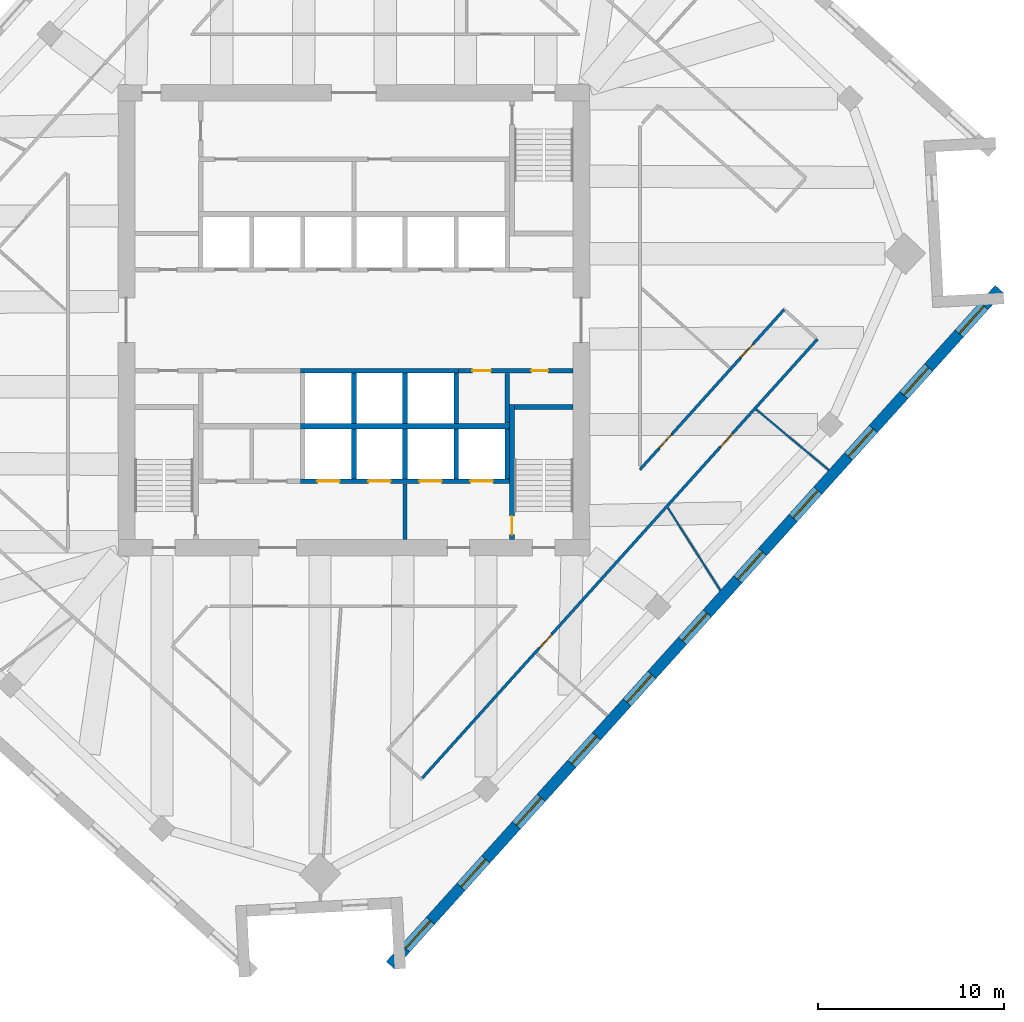
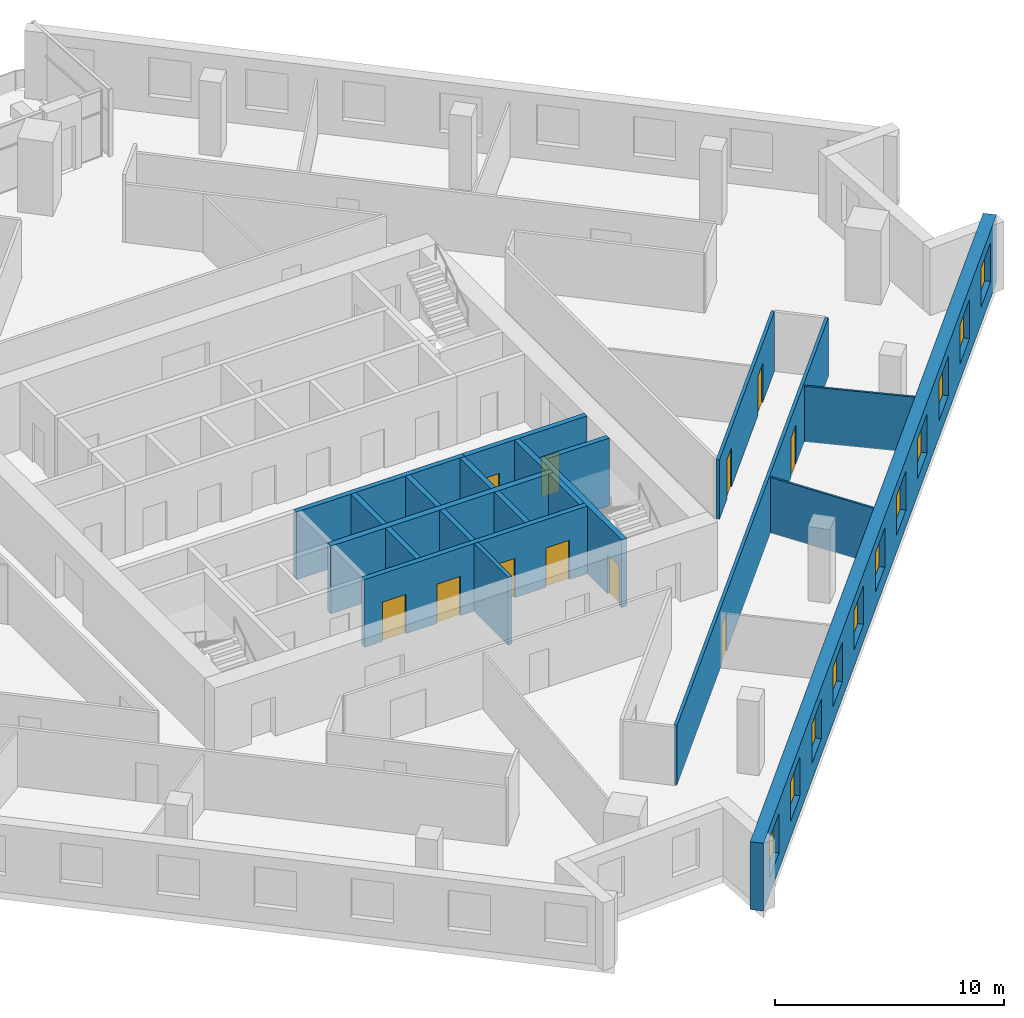
# One storey, part 7 of 12: 20 walls, 11 doors, 11 windows, 22 openings.
"""IFC4 building model written with IfcOpenShell, lengths in metres."""

from ifc_helpers import new_model, si_unit, direction, frame, frame_2d, origin, place, context, subcontext, project, spatial, rectangle, extrude, material, layer, layer_set, type_object, element, fill, save


model = new_model("IFC4")

# Units and contexts
model_context = context("Model", 3, precision=1e-05, world=origin(), true_north=direction((0.0, 1.0)))
body_context = subcontext(model_context, "Body", "Model", "MODEL_VIEW")
ifc_project = project(units=[si_unit("LENGTHUNIT", "METRE"), si_unit("AREAUNIT", "SQUARE_METRE"), si_unit("VOLUMEUNIT", "CUBIC_METRE"), si_unit("PLANEANGLEUNIT", "RADIAN"), si_unit("MASSUNIT", "GRAM", prefix="KILO")], contexts=[model_context])

# Site, building, storey
site_placement = place(None, origin())
site = spatial("IfcSite", under=ifc_project, at=site_placement, CompositionType="ELEMENT")
building_placement = place(site_placement, origin())
building = spatial("IfcBuilding", under=site, at=building_placement, Name="Dilmun Exchange Tower", CompositionType="ELEMENT")
storey_placement = place(building_placement, frame((0.0, 0.0, 217.300048828125)))
storey = spatial("IfcBuildingStorey", under=building, at=storey_placement, Name="L51", CompositionType="ELEMENT", Elevation=217.300048828125)

# Walls
ifc_material_1 = material(Name="Concrete C40/50", Category="concrete")
ifc_layer_1 = layer(ifc_material_1, 0.199951171875)
ifc_layer_set_1 = layer_set([ifc_layer_1], Name="Concrete C40/50")
wall_type_1 = type_object("IfcWallType", Name="Core partition wall 200", PredefinedType="PARTITIONING", material=ifc_layer_set_1)
wall_1_placement = place(storey_placement, frame((2.75, -11.794921875, 0.0), z_axis=(0.0, 0.0, 1.0), x_axis=(0.0, 1.0, 0.0)))
element("IfcWall", 1, at=wall_1_placement, inside=storey, type_object=wall_type_1, Name="L51 core partition wall 01", PredefinedType="PARTITIONING", context=body_context, shape_type="SweptSolid", body=[
    extrude(rectangle(XDim=2.989990234375, YDim=0.199951171875, at=frame_2d((1.4951171875, 0.0))), origin(), (0.0, 0.0, 1.0), 3.619873046875),
])
ifc_layer_2 = layer(ifc_material_1, 0.25)
ifc_layer_set_2 = layer_set([ifc_layer_2], Name="Concrete C40/50")
wall_type_2 = type_object("IfcWallType", Name="Core partition wall 250", PredefinedType="PARTITIONING", material=ifc_layer_set_2)
wall_2_placement = place(storey_placement, frame((8.25, -5.544921875, 0.0), z_axis=(0.0, 0.0, 1.0), x_axis=(0.0, 1.0, 0.0)))
element("IfcWall", 2, at=wall_2_placement, inside=storey, type_object=wall_type_2, Name="L51 core partition wall 07", PredefinedType="PARTITIONING", context=body_context, shape_type="SweptSolid", body=[
    extrude(rectangle(XDim=2.68994140625, YDim=0.25, at=frame_2d((1.344970703125, 0.0))), origin(), (0.0, 0.0, 1.0), 3.619873046875),
])

# Wall, openings, doors
wall_3_placement = place(storey_placement, frame((5.6298828125, -2.72509765625, 0.0), z_axis=(0.0, 0.0, 1.0), x_axis=(1.0, 0.0, 0.0)))
wall_3 = element("IfcWall", 3, at=wall_3_placement, inside=storey, type_object=wall_type_2, Name="L51 core partition wall 09", PredefinedType="PARTITIONING", context=body_context, shape_type="SweptSolid", body=[
    extrude(rectangle(XDim=6.1650390625, YDim=0.25, at=frame_2d((3.08251953125, 0.0))), origin(), (0.0, 0.0, 1.0), 3.619873046875),
])
opening_1_placement = place(wall_3_placement, frame((0.7451171875, 0.0, 0.0)))
opening_1 = element("IfcOpeningElement", 4, at=opening_1_placement, cuts=wall_3, Name="Opening CD4", PredefinedType="OPENING", context=body_context, shape_type="SweptSolid", body=[
    extrude(rectangle(XDim=1.0, YDim=2.10009765625, at=frame_2d((0.5, 1.050048828125))), frame((0.0, 0.135009765625, 0.0), z_axis=(0.0, -1.0, 0.0), x_axis=(1.0, 0.0, 0.0)), (0.0, 0.0, 1.0), 0.27001953125),
])
opening_2_placement = place(wall_3_placement, frame((3.919921875, 0.0, 0.0)))
opening_2 = element("IfcOpeningElement", 5, at=opening_2_placement, cuts=wall_3, Name="Opening CD6", PredefinedType="OPENING", context=body_context, shape_type="SweptSolid", body=[
    extrude(rectangle(XDim=0.89990234375, YDim=2.10009765625, at=frame_2d((0.449951171875, 1.050048828125))), frame((0.0, 0.135009765625, 0.0), z_axis=(0.0, -1.0, 0.0), x_axis=(1.0, 0.0, 0.0)), (0.0, 0.0, 1.0), 0.27001953125),
])
ifc_material_2 = material(Name="Fire-rated steel door set", Category="steel")
door_type_1 = type_object("IfcDoorType", Name="Core room door 1000x2100", OperationType="SINGLE_SWING_LEFT", PredefinedType="DOOR", material=ifc_material_2)
door_1_placement = place(opening_1_placement, origin())
door_1 = element("IfcDoor", 6, at=door_1_placement, inside=storey, type_object=door_type_1, Name="L51 door Cleaners' store", OperationType="SINGLE_SWING_RIGHT", OverallHeight=2.10009765625, OverallWidth=1.0, PredefinedType="DOOR", context=body_context, shape_type="SweptSolid", body=[
    extrude(rectangle(XDim=1.0, YDim=2.10009765625, at=frame_2d((0.5, 1.050048828125))), frame((0.0, 0.02490234375, 0.0), z_axis=(0.0, -1.0, 0.0), x_axis=(1.0, 0.0, 0.0)), (0.0, 0.0, 1.0), 0.050048828125),
])
fill(opening_1, door_1)
door_type_2 = type_object("IfcDoorType", Name="Core room door 900x2100", OperationType="SINGLE_SWING_LEFT", PredefinedType="DOOR", material=ifc_material_2)
door_2_placement = place(opening_2_placement, origin())
door_2 = element("IfcDoor", 7, at=door_2_placement, inside=storey, type_object=door_type_2, Name="L51 door Comms riser", OperationType="SINGLE_SWING_RIGHT", OverallHeight=2.10009765625, OverallWidth=0.89990234375, PredefinedType="DOOR", context=body_context, shape_type="SweptSolid", body=[
    extrude(rectangle(XDim=0.89990234375, YDim=2.10009765625, at=frame_2d((0.449951171875, 1.050048828125))), frame((0.0, 0.02490234375, 0.0), z_axis=(0.0, -1.0, 0.0), x_axis=(1.0, 0.0, 0.0)), (0.0, 0.0, 1.0), 0.050048828125),
])
fill(opening_2, door_2)

ifc_material_3 = material(Name="Corridor wall 150")
ifc_layer_3 = layer(ifc_material_3, 0.14990234375)
ifc_layer_set_3 = layer_set([ifc_layer_3], Name="Corridor wall 150")
wall_type_3 = type_object("IfcWallType", Name="Corridor wall 150", PredefinedType="PARTITIONING", material=ifc_layer_set_3)
wall_4_placement = place(storey_placement, frame((3.67626953125, -24.6533203125, 0.0), z_axis=(0.0, 0.0, 1.0), x_axis=(0.669124220942, 0.743150574882, 0.0)))
wall_4 = element("IfcWall", 8, at=wall_4_placement, inside=storey, type_object=wall_type_3, Name="Corridor wall", PredefinedType="PARTITIONING", context=body_context, shape_type="SweptSolid", body=[
    extrude(rectangle(XDim=31.796142578125, YDim=0.14990234375, at=frame_2d((15.89794921875, 0.0))), origin(), (0.0, 0.0, 1.0), 3.169921875),
])
opening_3_placement = place(wall_4_placement, frame((9.410400390625, 0.0, 0.0)))
opening_3 = element("IfcOpeningElement", 9, at=opening_3_placement, cuts=wall_4, Name="Opening TF51-D13", PredefinedType="OPENING", context=body_context, shape_type="SweptSolid", body=[
    extrude(rectangle(XDim=1.0, YDim=2.10009765625, at=frame_2d((0.5, 1.050048828125))), frame((0.0, 0.0849609375, 0.0), z_axis=(0.0, -1.0, 0.0), x_axis=(1.0, 0.0, 0.0)), (0.0, 0.0, 1.0), 0.169921875),
])
opening_4_placement = place(wall_4_placement, frame((23.9814453125, 0.0, 0.0)))
opening_4 = element("IfcOpeningElement", 10, at=opening_4_placement, cuts=wall_4, Name="Opening TF51-D16", PredefinedType="OPENING", context=body_context, shape_type="SweptSolid", body=[
    extrude(rectangle(XDim=1.0, YDim=2.10009765625, at=frame_2d((0.5, 1.050048828125))), frame((0.0, 0.0849609375, 0.0), z_axis=(0.0, -1.0, 0.0), x_axis=(1.0, 0.0, 0.0)), (0.0, 0.0, 1.0), 0.169921875),
])
ifc_material_4 = material(Name="Fire door 1000 x 2100")
door_type_3 = type_object("IfcDoorType", Name="Fire door 1000 x 2100", OperationType="NOTDEFINED", PredefinedType="DOOR", material=ifc_material_4)
door_3_placement = place(opening_3_placement, frame((1.0, 0.0, 0.0), z_axis=(0.0, 0.0, 1.0), x_axis=(-1.0, 0.0, 0.0)))
door_3 = element("IfcDoor", 11, at=door_3_placement, inside=storey, type_object=door_type_3, Name="Door TF51-D13", OperationType="SINGLE_SWING_LEFT", OverallHeight=2.10009765625, OverallWidth=1.0, PredefinedType="DOOR", context=body_context, shape_type="SweptSolid", body=[
    extrude(rectangle(XDim=1.0, YDim=2.10009765625, at=frame_2d((0.5, 1.050048828125))), frame((0.0, 0.02490234375, 0.0), z_axis=(0.0, -1.0, 0.0), x_axis=(1.0, 0.0, 0.0)), (0.0, 0.0, 1.0), 0.050048828125),
])
fill(opening_3, door_3)
door_4_placement = place(opening_4_placement, frame((1.0, 0.0, 0.0), z_axis=(0.0, 0.0, 1.0), x_axis=(-1.0, 0.0, 0.0)))
door_4 = element("IfcDoor", 12, at=door_4_placement, inside=storey, type_object=door_type_3, Name="Door TF51-D16", OperationType="SINGLE_SWING_LEFT", OverallHeight=2.10009765625, OverallWidth=1.0, PredefinedType="DOOR", context=body_context, shape_type="SweptSolid", body=[
    extrude(rectangle(XDim=1.0, YDim=2.10009765625, at=frame_2d((0.5, 1.050048828125))), frame((0.0, 0.02490234375, 0.0), z_axis=(0.0, -1.0, 0.0), x_axis=(1.0, 0.0, 0.0)), (0.0, 0.0, 1.0), 0.050048828125),
])
fill(opening_4, door_4)

wall_5_placement = place(storey_placement, frame((15.39990234375, -8.0458984375, 0.0), z_axis=(0.0, 0.0, 1.0), x_axis=(0.669150592904, 0.743126829025, 0.0)))
wall_5 = element("IfcWall", 13, at=wall_5_placement, inside=storey, type_object=wall_type_3, Name="Corridor wall", PredefinedType="PARTITIONING", context=body_context, shape_type="SweptSolid", body=[
    extrude(rectangle(XDim=11.6103515625, YDim=0.14990234375, at=frame_2d((5.80517578125, 0.0))), origin(), (0.0, 0.0, 1.0), 3.169921875),
])
opening_5_placement = place(wall_5_placement, frame((1.550048828125, 0.0, 0.0)))
opening_5 = element("IfcOpeningElement", 14, at=opening_5_placement, cuts=wall_5, Name="Opening TF51-D15", PredefinedType="OPENING", context=body_context, shape_type="SweptSolid", body=[
    extrude(rectangle(XDim=1.0, YDim=2.10009765625, at=frame_2d((0.5, 1.050048828125))), frame((0.0, 0.0849609375, 0.0), z_axis=(0.0, -1.0, 0.0), x_axis=(1.0, 0.0, 0.0)), (0.0, 0.0, 1.0), 0.169921875),
])
opening_6_placement = place(wall_5_placement, frame((8.11572265625, 0.0, 0.0)))
opening_6 = element("IfcOpeningElement", 15, at=opening_6_placement, cuts=wall_5, Name="Opening TF51-D18", PredefinedType="OPENING", context=body_context, shape_type="SweptSolid", body=[
    extrude(rectangle(XDim=1.0, YDim=2.10009765625, at=frame_2d((0.5, 1.050048828125))), frame((0.0, 0.0849609375, 0.0), z_axis=(0.0, -1.0, 0.0), x_axis=(1.0, 0.0, 0.0)), (0.0, 0.0, 1.0), 0.169921875),
])
door_5_placement = place(opening_5_placement, origin())
door_5 = element("IfcDoor", 16, at=door_5_placement, inside=storey, type_object=door_type_3, Name="Door TF51-D15", OperationType="SINGLE_SWING_LEFT", OverallHeight=2.10009765625, OverallWidth=1.0, PredefinedType="DOOR", context=body_context, shape_type="SweptSolid", body=[
    extrude(rectangle(XDim=1.0, YDim=2.10009765625, at=frame_2d((0.5, 1.050048828125))), frame((0.0, 0.02490234375, 0.0), z_axis=(0.0, -1.0, 0.0), x_axis=(1.0, 0.0, 0.0)), (0.0, 0.0, 1.0), 0.050048828125),
])
fill(opening_5, door_5)
door_6_placement = place(opening_6_placement, origin())
door_6 = element("IfcDoor", 17, at=door_6_placement, inside=storey, type_object=door_type_3, Name="Door TF51-D18", OperationType="SINGLE_SWING_LEFT", OverallHeight=2.10009765625, OverallWidth=1.0, PredefinedType="DOOR", context=body_context, shape_type="SweptSolid", body=[
    extrude(rectangle(XDim=1.0, YDim=2.10009765625, at=frame_2d((0.5, 1.050048828125))), frame((0.0, 0.02490234375, 0.0), z_axis=(0.0, -1.0, 0.0), x_axis=(1.0, 0.0, 0.0)), (0.0, 0.0, 1.0), 0.050048828125),
])
fill(opening_6, door_6)

# Walls
ifc_layer_4 = layer(ifc_material_1, 0.300048828125)
ifc_layer_set_4 = layer_set([ifc_layer_4], Name="Concrete C40/50")
wall_type_4 = type_object("IfcWallType", Name="Lift shaft shared wall 300", PredefinedType="SOLIDWALL", material=ifc_layer_set_4)
wall_6_placement = place(storey_placement, frame((-2.875, -5.699951171875, 0.0), z_axis=(0.0, 0.0, 1.0), x_axis=(1.0, 0.0, 0.0)))
element("IfcWall", 18, at=wall_6_placement, inside=storey, type_object=wall_type_4, Name="L51 lift shaft rear wall S", PredefinedType="SOLIDWALL", context=body_context, shape_type="SweptSolid", body=[
    extrude(rectangle(XDim=11.25, YDim=0.300048828125, at=frame_2d((5.625, 0.0))), origin(), (0.0, 0.0, 1.0), 3.619873046875),
])
ifc_layer_5 = layer(ifc_material_1, 0.25)
ifc_layer_set_5 = layer_set([ifc_layer_5], Name="Concrete C40/50")
wall_type_5 = type_object("IfcWallType", Name="Lift shaft wall 250", PredefinedType="SOLIDWALL", material=ifc_layer_set_5)
wall_7_placement = place(storey_placement, frame((-2.875, -2.72509765625, 0.0), z_axis=(0.0, 0.0, 1.0), x_axis=(1.0, 0.0, 0.0)))
element("IfcWall", 19, at=wall_7_placement, inside=storey, type_object=wall_type_5, Name="L51 lift shaft front wall S1", PredefinedType="SOLIDWALL", context=body_context, shape_type="SweptSolid", body=[
    extrude(rectangle(XDim=8.5, YDim=0.25, at=frame_2d((4.25, 0.0))), origin(), (0.0, 0.0, 1.0), 3.619873046875),
])
for number, where, z_axis, x_axis, name in (
    (20, (0.0, -5.550048828125, 0.0), (0.0, 0.0, 1.0), (0.0, 1.0, 0.0), "L51 lift shaft divider S13"),
    (21, (2.75, -5.550048828125, 0.0), (0.0, 0.0, 1.0), (0.0, 1.0, 0.0), "L51 lift shaft divider S14"),
    (22, (5.5, -5.550048828125, 0.0), (0.0, 0.0, 1.0), (0.0, 1.0, 0.0), "L51 lift shaft divider S15"),
):
    element("IfcWall", number, at=place(storey_placement, frame(where, z_axis=z_axis, x_axis=x_axis)), inside=storey, type_object=wall_type_5, Name=name, PredefinedType="SOLIDWALL", context=body_context, shape_type="SweptSolid", body=[
        extrude(rectangle(XDim=2.699951171875, YDim=0.25, at=frame_2d((1.35009765625, 0.0))), origin(), (0.0, 0.0, 1.0), 3.619873046875),
    ])

# Wall, openings, doors
wall_8_placement = place(storey_placement, frame((-2.875, -8.675048828125, 0.0), z_axis=(0.0, 0.0, 1.0), x_axis=(1.0, 0.0, 0.0)))
wall_8 = element("IfcWall", 23, at=wall_8_placement, inside=storey, type_object=wall_type_5, Name="L51 lift shaft front wall S2", PredefinedType="SOLIDWALL", context=body_context, shape_type="SweptSolid", body=[
    extrude(rectangle(XDim=11.25, YDim=0.25, at=frame_2d((5.625, 0.0))), origin(), (0.0, 0.0, 1.0), 3.619873046875),
])
opening_7_placement = place(wall_8_placement, frame((0.89990234375, 0.0, 0.0)))
opening_7 = element("IfcOpeningElement", 24, at=opening_7_placement, cuts=wall_8, Name="Opening LD", PredefinedType="OPENING", context=body_context, shape_type="SweptSolid", body=[
    extrude(rectangle(XDim=1.199951171875, YDim=2.10009765625, at=frame_2d((0.60009765625, 1.050048828125))), frame((0.0, 0.135009765625, 0.0), z_axis=(0.0, -1.0, 0.0), x_axis=(1.0, 0.0, 0.0)), (0.0, 0.0, 1.0), 0.27001953125),
])
opening_8_placement = place(wall_8_placement, frame((3.64990234375, 0.0, 0.0)))
opening_8 = element("IfcOpeningElement", 25, at=opening_8_placement, cuts=wall_8, Name="Opening LD", PredefinedType="OPENING", context=body_context, shape_type="SweptSolid", body=[
    extrude(rectangle(XDim=1.199951171875, YDim=2.10009765625, at=frame_2d((0.60009765625, 1.050048828125))), frame((0.0, 0.135009765625, 0.0), z_axis=(0.0, -1.0, 0.0), x_axis=(1.0, 0.0, 0.0)), (0.0, 0.0, 1.0), 0.27001953125),
])
opening_9_placement = place(wall_8_placement, frame((6.39990234375, 0.0, 0.0)))
opening_9 = element("IfcOpeningElement", 26, at=opening_9_placement, cuts=wall_8, Name="Opening LD", PredefinedType="OPENING", context=body_context, shape_type="SweptSolid", body=[
    extrude(rectangle(XDim=1.199951171875, YDim=2.10009765625, at=frame_2d((0.60009765625, 1.050048828125))), frame((0.0, 0.135009765625, 0.0), z_axis=(0.0, -1.0, 0.0), x_axis=(1.0, 0.0, 0.0)), (0.0, 0.0, 1.0), 0.27001953125),
])
opening_10_placement = place(wall_8_placement, frame((9.14990234375, 0.0, 0.0)))
opening_10 = element("IfcOpeningElement", 27, at=opening_10_placement, cuts=wall_8, Name="Opening LD", PredefinedType="OPENING", context=body_context, shape_type="SweptSolid", body=[
    extrude(rectangle(XDim=1.199951171875, YDim=2.10009765625, at=frame_2d((0.60009765625, 1.050048828125))), frame((0.0, 0.135009765625, 0.0), z_axis=(0.0, -1.0, 0.0), x_axis=(1.0, 0.0, 0.0)), (0.0, 0.0, 1.0), 0.27001953125),
])
door_type_4 = type_object("IfcDoorType", Name="Lift landing door 1200x2100", OperationType="DOUBLE_DOOR_SLIDING", PredefinedType="DOOR", material=ifc_material_2)
door_7_placement = place(opening_7_placement, origin())
door_7 = element("IfcDoor", 28, at=door_7_placement, inside=storey, type_object=door_type_4, Name="L51 landing door SV1", OperationType="DOUBLE_DOOR_SLIDING", OverallHeight=2.10009765625, OverallWidth=1.199951171875, PredefinedType="DOOR", context=body_context, shape_type="SweptSolid", body=[
    extrude(rectangle(XDim=1.199951171875, YDim=2.10009765625, at=frame_2d((0.60009765625, 1.050048828125))), frame((0.0, 0.02490234375, 0.0), z_axis=(0.0, -1.0, 0.0), x_axis=(1.0, 0.0, 0.0)), (0.0, 0.0, 1.0), 0.050048828125),
])
fill(opening_7, door_7)
door_8_placement = place(opening_8_placement, origin())
door_8 = element("IfcDoor", 29, at=door_8_placement, inside=storey, type_object=door_type_4, Name="L51 landing door SV2", OperationType="DOUBLE_DOOR_SLIDING", OverallHeight=2.10009765625, OverallWidth=1.199951171875, PredefinedType="DOOR", context=body_context, shape_type="SweptSolid", body=[
    extrude(rectangle(XDim=1.199951171875, YDim=2.10009765625, at=frame_2d((0.60009765625, 1.050048828125))), frame((0.0, 0.02490234375, 0.0), z_axis=(0.0, -1.0, 0.0), x_axis=(1.0, 0.0, 0.0)), (0.0, 0.0, 1.0), 0.050048828125),
])
fill(opening_8, door_8)
door_9_placement = place(opening_9_placement, origin())
door_9 = element("IfcDoor", 30, at=door_9_placement, inside=storey, type_object=door_type_4, Name="L51 landing door FF1", OperationType="DOUBLE_DOOR_SLIDING", OverallHeight=2.10009765625, OverallWidth=1.199951171875, PredefinedType="DOOR", context=body_context, shape_type="SweptSolid", body=[
    extrude(rectangle(XDim=1.199951171875, YDim=2.10009765625, at=frame_2d((0.60009765625, 1.050048828125))), frame((0.0, 0.02490234375, 0.0), z_axis=(0.0, -1.0, 0.0), x_axis=(1.0, 0.0, 0.0)), (0.0, 0.0, 1.0), 0.050048828125),
])
fill(opening_9, door_9)
door_10_placement = place(opening_10_placement, origin())
door_10 = element("IfcDoor", 31, at=door_10_placement, inside=storey, type_object=door_type_4, Name="L51 landing door FF2", OperationType="DOUBLE_DOOR_SLIDING", OverallHeight=2.10009765625, OverallWidth=1.199951171875, PredefinedType="DOOR", context=body_context, shape_type="SweptSolid", body=[
    extrude(rectangle(XDim=1.199951171875, YDim=2.10009765625, at=frame_2d((0.60009765625, 1.050048828125))), frame((0.0, 0.02490234375, 0.0), z_axis=(0.0, -1.0, 0.0), x_axis=(1.0, 0.0, 0.0)), (0.0, 0.0, 1.0), 0.050048828125),
])
fill(opening_10, door_10)

# Walls
for number, where, z_axis, x_axis, name in (
    (32, (0.0, -8.550048828125, 0.0), (0.0, 0.0, 1.0), (0.0, 1.0, 0.0), "L51 lift shaft divider S23"),
    (33, (2.75, -8.550048828125, 0.0), (0.0, 0.0, 1.0), (0.0, 1.0, 0.0), "L51 lift shaft divider S24"),
    (34, (5.5, -8.550048828125, 0.0), (0.0, 0.0, 1.0), (0.0, 1.0, 0.0), "L51 lift shaft divider S25"),
    (35, (8.25, -8.550048828125, 0.0), (0.0, 0.0, 1.0), (0.0, 1.0, 0.0), "L51 lift shaft divider S26"),
):
    element("IfcWall", number, at=place(storey_placement, frame(where, z_axis=z_axis, x_axis=x_axis)), inside=storey, type_object=wall_type_5, Name=name, PredefinedType="SOLIDWALL", context=body_context, shape_type="SweptSolid", body=[
        extrude(rectangle(XDim=2.699951171875, YDim=0.25, at=frame_2d((1.35009765625, 0.0))), origin(), (0.0, 0.0, 1.0), 3.619873046875),
    ])
ifc_material_5 = material(Name="Partition 100")
ifc_layer_6 = layer(ifc_material_5, 0.10009765625)
ifc_layer_set_6 = layer_set([ifc_layer_6], Name="Partition 100")
wall_type_6 = type_object("IfcWallType", Name="Partition 100", PredefinedType="PARTITIONING", material=ifc_layer_set_6)
wall_9_placement = place(storey_placement, frame((16.902099609375, -10.096435546875, 0.0), z_axis=(0.0, 0.0, 1.0), x_axis=(0.536270420215, -0.84404622883, 0.0)))
element("IfcWall", 36, at=wall_9_placement, inside=storey, type_object=wall_type_6, Name="Partition", PredefinedType="PARTITIONING", context=body_context, shape_type="SweptSolid", body=[
    extrude(rectangle(XDim=5.275146484375, YDim=0.10009765625, at=frame_2d((2.6376953125, 0.0))), origin(), (0.0, 0.0, 1.0), 2.969970703125),
])
wall_10_placement = place(storey_placement, frame((21.655029296875, -4.80029296875, 0.0), z_axis=(0.0, 0.0, 1.0), x_axis=(0.767785292275, -0.640707222501, 0.0)))
element("IfcWall", 37, at=wall_10_placement, inside=storey, type_object=wall_type_6, Name="Partition", PredefinedType="PARTITIONING", context=body_context, shape_type="SweptSolid", body=[
    extrude(rectangle(XDim=5.096923828125, YDim=0.10009765625, at=frame_2d((2.54833984375, 0.0))), origin(), (0.0, 0.0, 1.0), 2.969970703125),
])

# Wall, openings, windows
ifc_material_6 = material(Name="Precast concrete C50/60", Category="concrete")
ifc_layer_7 = layer(ifc_material_6, 0.60009765625)
ifc_layer_set_7 = layer_set([ifc_layer_7], Name="Precast concrete C50/60")
wall_type_7 = type_object("IfcWallType", Name="Precast stone-clad wall 600", PredefinedType="STANDARD", material=ifc_layer_set_7)
wall_11_placement = place(storey_placement, frame((1.9619140625, -34.734619140625, 0.0), z_axis=(0.0, 0.0, 1.0), x_axis=(0.669133181838, 0.743142506497, 0.0)))
wall_11 = element("IfcWall", 38, at=wall_11_placement, inside=storey, type_object=wall_type_7, Name="Facade wall L51-11", PredefinedType="STANDARD", context=body_context, shape_type="SweptSolid", body=[
    extrude(rectangle(XDim=49.0, YDim=0.60009765625, at=frame_2d((24.5, 0.0))), origin(), (0.0, 0.0, 1.0), 3.619873046875),
])
opening_11_placement = place(wall_11_placement, frame((1.227294921875, 0.0, 0.89990234375)))
opening_11 = element("IfcOpeningElement", 39, at=opening_11_placement, cuts=wall_11, Name="Opening W200-210", PredefinedType="OPENING", context=body_context, shape_type="SweptSolid", body=[
    extrude(rectangle(XDim=2.0, YDim=2.10009765625, at=frame_2d((1.0, 1.050048828125))), frame((0.0, 0.31005859375, 0.0), z_axis=(0.0, -1.0, 0.0), x_axis=(1.0, 0.0, 0.0)), (0.0, 0.0, 1.0), 0.6201171875),
])
opening_12_placement = place(wall_11_placement, frame((5.681884765625, 0.0, 0.89990234375)))
opening_12 = element("IfcOpeningElement", 40, at=opening_12_placement, cuts=wall_11, Name="Opening W200-210", PredefinedType="OPENING", context=body_context, shape_type="SweptSolid", body=[
    extrude(rectangle(XDim=2.0, YDim=2.10009765625, at=frame_2d((1.0, 1.050048828125))), frame((0.0, 0.31005859375, 0.0), z_axis=(0.0, -1.0, 0.0), x_axis=(1.0, 0.0, 0.0)), (0.0, 0.0, 1.0), 0.6201171875),
])
opening_13_placement = place(wall_11_placement, frame((10.136474609375, 0.0, 0.89990234375)))
opening_13 = element("IfcOpeningElement", 41, at=opening_13_placement, cuts=wall_11, Name="Opening W200-210", PredefinedType="OPENING", context=body_context, shape_type="SweptSolid", body=[
    extrude(rectangle(XDim=2.0, YDim=2.10009765625, at=frame_2d((1.0, 1.050048828125))), frame((0.0, 0.31005859375, 0.0), z_axis=(0.0, -1.0, 0.0), x_axis=(1.0, 0.0, 0.0)), (0.0, 0.0, 1.0), 0.6201171875),
])
opening_14_placement = place(wall_11_placement, frame((14.5908203125, 0.0, 0.89990234375)))
opening_14 = element("IfcOpeningElement", 42, at=opening_14_placement, cuts=wall_11, Name="Opening W200-210", PredefinedType="OPENING", context=body_context, shape_type="SweptSolid", body=[
    extrude(rectangle(XDim=2.0, YDim=2.10009765625, at=frame_2d((1.0, 1.050048828125))), frame((0.0, 0.31005859375, 0.0), z_axis=(0.0, -1.0, 0.0), x_axis=(1.0, 0.0, 0.0)), (0.0, 0.0, 1.0), 0.6201171875),
])
opening_15_placement = place(wall_11_placement, frame((19.04541015625, 0.0, 0.89990234375)))
opening_15 = element("IfcOpeningElement", 43, at=opening_15_placement, cuts=wall_11, Name="Opening W200-210", PredefinedType="OPENING", context=body_context, shape_type="SweptSolid", body=[
    extrude(rectangle(XDim=2.0, YDim=2.10009765625, at=frame_2d((1.0, 1.050048828125))), frame((0.0, 0.31005859375, 0.0), z_axis=(0.0, -1.0, 0.0), x_axis=(1.0, 0.0, 0.0)), (0.0, 0.0, 1.0), 0.6201171875),
])
opening_16_placement = place(wall_11_placement, frame((23.5, 0.0, 0.89990234375)))
opening_16 = element("IfcOpeningElement", 44, at=opening_16_placement, cuts=wall_11, Name="Opening W200-210", PredefinedType="OPENING", context=body_context, shape_type="SweptSolid", body=[
    extrude(rectangle(XDim=2.0, YDim=2.10009765625, at=frame_2d((1.0, 1.050048828125))), frame((0.0, 0.31005859375, 0.0), z_axis=(0.0, -1.0, 0.0), x_axis=(1.0, 0.0, 0.0)), (0.0, 0.0, 1.0), 0.6201171875),
])
opening_17_placement = place(wall_11_placement, frame((27.95458984375, 0.0, 0.89990234375)))
opening_17 = element("IfcOpeningElement", 45, at=opening_17_placement, cuts=wall_11, Name="Opening W200-210", PredefinedType="OPENING", context=body_context, shape_type="SweptSolid", body=[
    extrude(rectangle(XDim=2.0, YDim=2.10009765625, at=frame_2d((1.0, 1.050048828125))), frame((0.0, 0.31005859375, 0.0), z_axis=(0.0, -1.0, 0.0), x_axis=(1.0, 0.0, 0.0)), (0.0, 0.0, 1.0), 0.6201171875),
])
opening_18_placement = place(wall_11_placement, frame((32.4091796875, 0.0, 0.89990234375)))
opening_18 = element("IfcOpeningElement", 46, at=opening_18_placement, cuts=wall_11, Name="Opening W200-210", PredefinedType="OPENING", context=body_context, shape_type="SweptSolid", body=[
    extrude(rectangle(XDim=2.0, YDim=2.10009765625, at=frame_2d((1.0, 1.050048828125))), frame((0.0, 0.31005859375, 0.0), z_axis=(0.0, -1.0, 0.0), x_axis=(1.0, 0.0, 0.0)), (0.0, 0.0, 1.0), 0.6201171875),
])
opening_19_placement = place(wall_11_placement, frame((36.863525390625, 0.0, 0.89990234375)))
opening_19 = element("IfcOpeningElement", 47, at=opening_19_placement, cuts=wall_11, Name="Opening W200-210", PredefinedType="OPENING", context=body_context, shape_type="SweptSolid", body=[
    extrude(rectangle(XDim=2.0, YDim=2.10009765625, at=frame_2d((1.0, 1.050048828125))), frame((0.0, 0.31005859375, 0.0), z_axis=(0.0, -1.0, 0.0), x_axis=(1.0, 0.0, 0.0)), (0.0, 0.0, 1.0), 0.6201171875),
])
opening_20_placement = place(wall_11_placement, frame((41.318115234375, 0.0, 0.89990234375)))
opening_20 = element("IfcOpeningElement", 48, at=opening_20_placement, cuts=wall_11, Name="Opening W200-210", PredefinedType="OPENING", context=body_context, shape_type="SweptSolid", body=[
    extrude(rectangle(XDim=2.0, YDim=2.10009765625, at=frame_2d((1.0, 1.050048828125))), frame((0.0, 0.31005859375, 0.0), z_axis=(0.0, -1.0, 0.0), x_axis=(1.0, 0.0, 0.0)), (0.0, 0.0, 1.0), 0.6201171875),
])
opening_21_placement = place(wall_11_placement, frame((45.772705078125, 0.0, 0.89990234375)))
opening_21 = element("IfcOpeningElement", 49, at=opening_21_placement, cuts=wall_11, Name="Opening W200-210", PredefinedType="OPENING", context=body_context, shape_type="SweptSolid", body=[
    extrude(rectangle(XDim=2.0, YDim=2.10009765625, at=frame_2d((1.0, 1.050048828125))), frame((0.0, 0.31005859375, 0.0), z_axis=(0.0, -1.0, 0.0), x_axis=(1.0, 0.0, 0.0)), (0.0, 0.0, 1.0), 0.6201171875),
])
ifc_material_7 = material(Name="Clear low-emissivity glass in aluminium frame", Category="aluminium")
window_type = type_object("IfcWindowType", Name="Punched window 2000 x 2100", PartitioningType="DOUBLE_PANEL_VERTICAL", PredefinedType="WINDOW", material=ifc_material_7)
window_1_placement = place(opening_11_placement, origin())
window_1 = element("IfcWindow", 50, at=window_1_placement, inside=storey, type_object=window_type, Name="Window 12.1", OverallHeight=2.10009765625, OverallWidth=2.0, PartitioningType="SINGLE_PANEL", PredefinedType="WINDOW", context=body_context, shape_type="SweptSolid", body=[
    extrude(rectangle(XDim=2.0, YDim=2.10009765625, at=frame_2d((1.0, 1.050048828125))), frame((0.0, 0.030029296875, 0.0), z_axis=(0.0, -1.0, 0.0), x_axis=(1.0, 0.0, 0.0)), (0.0, 0.0, 1.0), 0.06005859375),
])
fill(opening_11, window_1)
window_2_placement = place(opening_12_placement, origin())
window_2 = element("IfcWindow", 51, at=window_2_placement, inside=storey, type_object=window_type, Name="Window 12.2", OverallHeight=2.10009765625, OverallWidth=2.0, PartitioningType="SINGLE_PANEL", PredefinedType="WINDOW", context=body_context, shape_type="SweptSolid", body=[
    extrude(rectangle(XDim=2.0, YDim=2.10009765625, at=frame_2d((1.0, 1.050048828125))), frame((0.0, 0.030029296875, 0.0), z_axis=(0.0, -1.0, 0.0), x_axis=(1.0, 0.0, 0.0)), (0.0, 0.0, 1.0), 0.06005859375),
])
fill(opening_12, window_2)
window_3_placement = place(opening_13_placement, origin())
window_3 = element("IfcWindow", 52, at=window_3_placement, inside=storey, type_object=window_type, Name="Window 12.3", OverallHeight=2.10009765625, OverallWidth=2.0, PartitioningType="SINGLE_PANEL", PredefinedType="WINDOW", context=body_context, shape_type="SweptSolid", body=[
    extrude(rectangle(XDim=2.0, YDim=2.10009765625, at=frame_2d((1.0, 1.050048828125))), frame((0.0, 0.030029296875, 0.0), z_axis=(0.0, -1.0, 0.0), x_axis=(1.0, 0.0, 0.0)), (0.0, 0.0, 1.0), 0.06005859375),
])
fill(opening_13, window_3)
window_4_placement = place(opening_14_placement, origin())
window_4 = element("IfcWindow", 53, at=window_4_placement, inside=storey, type_object=window_type, Name="Window 12.4", OverallHeight=2.10009765625, OverallWidth=2.0, PartitioningType="SINGLE_PANEL", PredefinedType="WINDOW", context=body_context, shape_type="SweptSolid", body=[
    extrude(rectangle(XDim=2.0, YDim=2.10009765625, at=frame_2d((1.0, 1.050048828125))), frame((0.0, 0.030029296875, 0.0), z_axis=(0.0, -1.0, 0.0), x_axis=(1.0, 0.0, 0.0)), (0.0, 0.0, 1.0), 0.06005859375),
])
fill(opening_14, window_4)
window_5_placement = place(opening_15_placement, origin())
window_5 = element("IfcWindow", 54, at=window_5_placement, inside=storey, type_object=window_type, Name="Window 12.5", OverallHeight=2.10009765625, OverallWidth=2.0, PartitioningType="SINGLE_PANEL", PredefinedType="WINDOW", context=body_context, shape_type="SweptSolid", body=[
    extrude(rectangle(XDim=2.0, YDim=2.10009765625, at=frame_2d((1.0, 1.050048828125))), frame((0.0, 0.030029296875, 0.0), z_axis=(0.0, -1.0, 0.0), x_axis=(1.0, 0.0, 0.0)), (0.0, 0.0, 1.0), 0.06005859375),
])
fill(opening_15, window_5)
window_6_placement = place(opening_16_placement, origin())
window_6 = element("IfcWindow", 55, at=window_6_placement, inside=storey, type_object=window_type, Name="Window 12.6", OverallHeight=2.10009765625, OverallWidth=2.0, PartitioningType="SINGLE_PANEL", PredefinedType="WINDOW", context=body_context, shape_type="SweptSolid", body=[
    extrude(rectangle(XDim=2.0, YDim=2.10009765625, at=frame_2d((1.0, 1.050048828125))), frame((0.0, 0.030029296875, 0.0), z_axis=(0.0, -1.0, 0.0), x_axis=(1.0, 0.0, 0.0)), (0.0, 0.0, 1.0), 0.06005859375),
])
fill(opening_16, window_6)
window_7_placement = place(opening_17_placement, origin())
window_7 = element("IfcWindow", 56, at=window_7_placement, inside=storey, type_object=window_type, Name="Window 12.7", OverallHeight=2.10009765625, OverallWidth=2.0, PartitioningType="SINGLE_PANEL", PredefinedType="WINDOW", context=body_context, shape_type="SweptSolid", body=[
    extrude(rectangle(XDim=2.0, YDim=2.10009765625, at=frame_2d((1.0, 1.050048828125))), frame((0.0, 0.030029296875, 0.0), z_axis=(0.0, -1.0, 0.0), x_axis=(1.0, 0.0, 0.0)), (0.0, 0.0, 1.0), 0.06005859375),
])
fill(opening_17, window_7)
window_8_placement = place(opening_18_placement, origin())
window_8 = element("IfcWindow", 57, at=window_8_placement, inside=storey, type_object=window_type, Name="Window 12.8", OverallHeight=2.10009765625, OverallWidth=2.0, PartitioningType="SINGLE_PANEL", PredefinedType="WINDOW", context=body_context, shape_type="SweptSolid", body=[
    extrude(rectangle(XDim=2.0, YDim=2.10009765625, at=frame_2d((1.0, 1.050048828125))), frame((0.0, 0.030029296875, 0.0), z_axis=(0.0, -1.0, 0.0), x_axis=(1.0, 0.0, 0.0)), (0.0, 0.0, 1.0), 0.06005859375),
])
fill(opening_18, window_8)
window_9_placement = place(opening_19_placement, origin())
window_9 = element("IfcWindow", 58, at=window_9_placement, inside=storey, type_object=window_type, Name="Window 12.9", OverallHeight=2.10009765625, OverallWidth=2.0, PartitioningType="SINGLE_PANEL", PredefinedType="WINDOW", context=body_context, shape_type="SweptSolid", body=[
    extrude(rectangle(XDim=2.0, YDim=2.10009765625, at=frame_2d((1.0, 1.050048828125))), frame((0.0, 0.030029296875, 0.0), z_axis=(0.0, -1.0, 0.0), x_axis=(1.0, 0.0, 0.0)), (0.0, 0.0, 1.0), 0.06005859375),
])
fill(opening_19, window_9)
window_10_placement = place(opening_20_placement, origin())
window_10 = element("IfcWindow", 59, at=window_10_placement, inside=storey, type_object=window_type, Name="Window 12.10", OverallHeight=2.10009765625, OverallWidth=2.0, PartitioningType="SINGLE_PANEL", PredefinedType="WINDOW", context=body_context, shape_type="SweptSolid", body=[
    extrude(rectangle(XDim=2.0, YDim=2.10009765625, at=frame_2d((1.0, 1.050048828125))), frame((0.0, 0.030029296875, 0.0), z_axis=(0.0, -1.0, 0.0), x_axis=(1.0, 0.0, 0.0)), (0.0, 0.0, 1.0), 0.06005859375),
])
fill(opening_20, window_10)
window_11_placement = place(opening_21_placement, origin())
window_11 = element("IfcWindow", 60, at=window_11_placement, inside=storey, type_object=window_type, Name="Window 12.11", OverallHeight=2.10009765625, OverallWidth=2.0, PartitioningType="SINGLE_PANEL", PredefinedType="WINDOW", context=body_context, shape_type="SweptSolid", body=[
    extrude(rectangle(XDim=2.0, YDim=2.10009765625, at=frame_2d((1.0, 1.050048828125))), frame((0.0, 0.030029296875, 0.0), z_axis=(0.0, -1.0, 0.0), x_axis=(1.0, 0.0, 0.0)), (0.0, 0.0, 1.0), 0.06005859375),
])
fill(opening_21, window_11)

# Wall
ifc_layer_8 = layer(ifc_material_1, 0.25)
ifc_layer_set_8 = layer_set([ifc_layer_8], Name="Concrete C40/50")
wall_type_8 = type_object("IfcWallType", Name="Stair end wall 250", PredefinedType="SOLIDWALL", material=ifc_layer_set_8)
wall_12_placement = place(storey_placement, frame((8.64990234375, -4.675048828125, 0.0), z_axis=(0.0, 0.0, 1.0), x_axis=(1.0, 0.0, 0.0)))
element("IfcWall", 61, at=wall_12_placement, inside=storey, type_object=wall_type_8, Name="L51 ST3 far wall", PredefinedType="SOLIDWALL", context=body_context, shape_type="SweptSolid", body=[
    extrude(rectangle(XDim=3.150146484375, YDim=0.25, at=frame_2d((1.5751953125, 0.0))), origin(), (0.0, 0.0, 1.0), 3.619873046875),
])

# Wall, opening, door
ifc_layer_9 = layer(ifc_material_1, 0.27490234375)
ifc_layer_set_9 = layer_set([ifc_layer_9], Name="Concrete C40/50")
wall_type_9 = type_object("IfcWallType", Name="Stair wall 275", PredefinedType="SOLIDWALL", material=ifc_layer_set_9)
wall_13_placement = place(storey_placement, frame((8.512451171875, -4.550048828125, 0.0), z_axis=(0.0, 0.0, 1.0), x_axis=(0.0, -1.0, 0.0)))
wall_13 = element("IfcWall", 62, at=wall_13_placement, inside=storey, type_object=wall_type_9, Name="L51 ST3 wall to lift block", PredefinedType="SOLIDWALL", context=body_context, shape_type="SweptSolid", body=[
    extrude(rectangle(XDim=7.25, YDim=0.27490234375, at=frame_2d((3.625, 0.0))), origin(), (0.0, 0.0, 1.0), 3.619873046875),
])
opening_22_placement = place(wall_13_placement, frame((6.0, 0.0, 0.0)))
opening_22 = element("IfcOpeningElement", 63, at=opening_22_placement, cuts=wall_13, Name="Opening CD4", PredefinedType="OPENING", context=body_context, shape_type="SweptSolid", body=[
    extrude(rectangle(XDim=1.0, YDim=2.10009765625, at=frame_2d((0.5, 1.050048828125))), frame((0.0, 0.1474609375, 0.0), z_axis=(0.0, -1.0, 0.0), x_axis=(1.0, 0.0, 0.0)), (0.0, 0.0, 1.0), 0.294921875),
])
door_11_placement = place(opening_22_placement, origin())
door_11 = element("IfcDoor", 64, at=door_11_placement, inside=storey, type_object=door_type_1, Name="L51 door ST3 from lobby", OperationType="SINGLE_SWING_LEFT", OverallHeight=2.10009765625, OverallWidth=1.0, PredefinedType="DOOR", context=body_context, shape_type="SweptSolid", body=[
    extrude(rectangle(XDim=1.0, YDim=2.10009765625, at=frame_2d((0.5, 1.050048828125))), frame((0.0, 0.02490234375, 0.0), z_axis=(0.0, -1.0, 0.0), x_axis=(1.0, 0.0, 0.0)), (0.0, 0.0, 1.0), 0.050048828125),
])
fill(opening_22, door_11)

save(model, "model.ifc")
